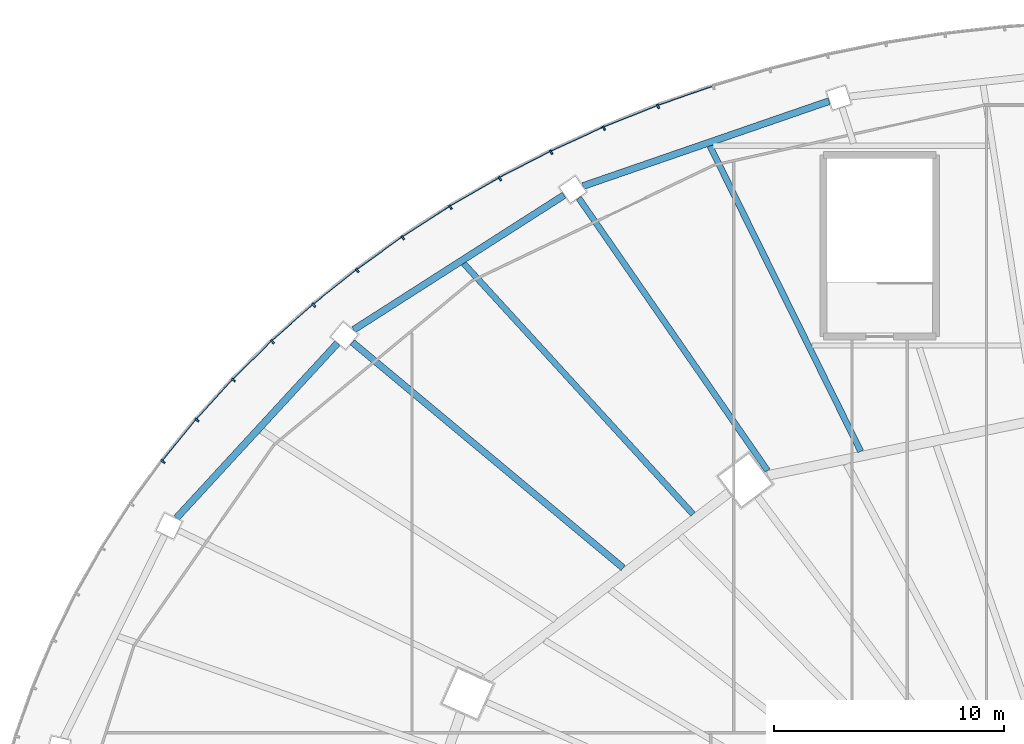
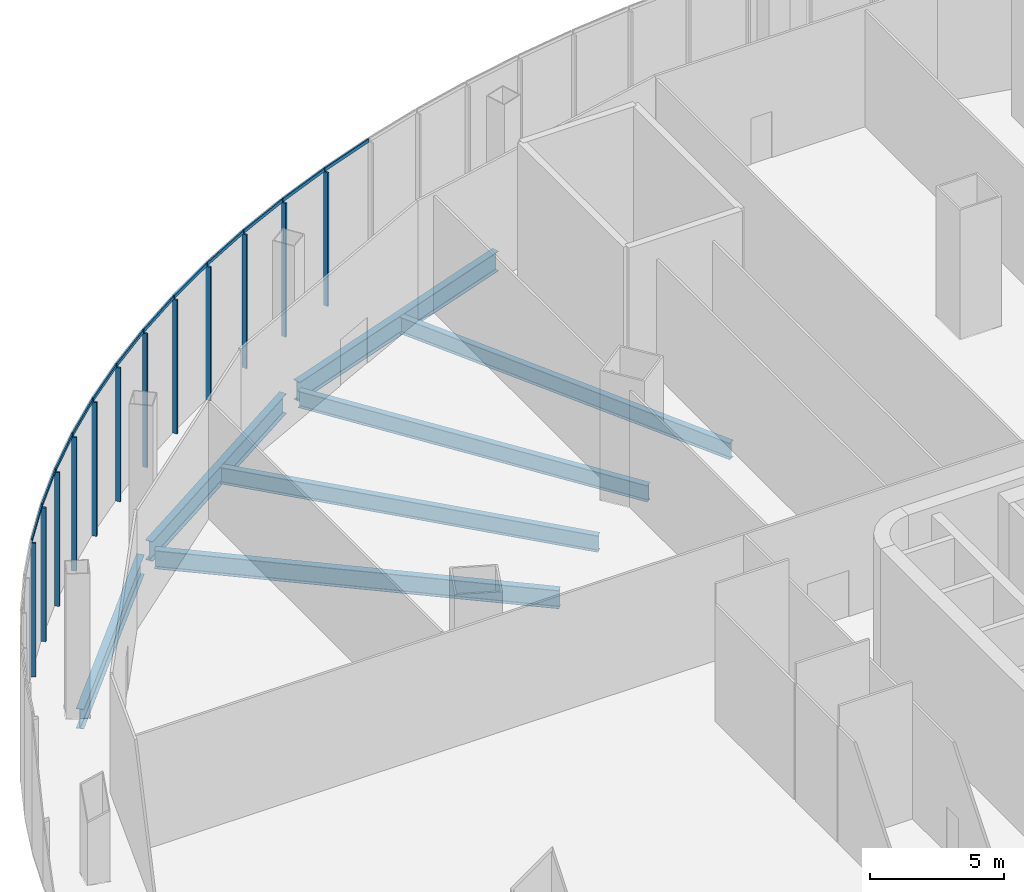
# One storey, part 13 of 33: 24 members, 7 beams, 3 elements without a shape of their own.
"""IFC4 building model written with IfcOpenShell, lengths in metres."""

from ifc_helpers import new_model, si_unit, direction, frame, origin, origin_2d, place, context, subcontext, project, spatial, rectangle, i_section, extrude, material, layer, layer_set, material_profile, profile_set, type_object, element, aggregate, save


model = new_model("IFC4")

# Units and contexts
model_context = context("Model", 3, precision=1e-05, world=origin(), true_north=direction((0.0, 1.0)))
body_context = subcontext(model_context, "Body", "Model", "MODEL_VIEW")
ifc_project = project(units=[si_unit("LENGTHUNIT", "METRE"), si_unit("AREAUNIT", "SQUARE_METRE"), si_unit("VOLUMEUNIT", "CUBIC_METRE"), si_unit("PLANEANGLEUNIT", "RADIAN"), si_unit("MASSUNIT", "GRAM", prefix="KILO")], contexts=[model_context])

# Site, building, storey
site_placement = place(None, origin())
site = spatial("IfcSite", under=ifc_project, at=site_placement, CompositionType="ELEMENT")
building_placement = place(site_placement, origin())
building = spatial("IfcBuilding", under=site, at=building_placement, Name="Sahrelin Media Tower", CompositionType="ELEMENT")
storey_placement = place(building_placement, frame((0.0, 0.0, 37.39990234375)))
storey = spatial("IfcBuildingStorey", under=building, at=storey_placement, Name="L05", CompositionType="ELEMENT", Elevation=37.39990234375)

# Curtain wall, members
ifc_material_1 = material(Name="Champagne anodised aluminium 6063-T6", Category="aluminium")
ifc_layer = layer(ifc_material_1, 0.14990234375)
ifc_layer_set = layer_set([ifc_layer], Name="Podium ribbon curtain wall")
curtain_wall_type = type_object("IfcCurtainWallType", Name="Podium ribbon curtain wall", PredefinedType="NOTDEFINED", material=ifc_layer_set)
curtain_wall_1_placement = place(storey_placement, frame((-12.94091796875, 40.56884765625, 0.0), z_axis=(0.0, 0.0, 1.0), x_axis=(1.0, 0.0, 0.0)))
curtain_wall_1 = element("IfcCurtainWall", 1, at=curtain_wall_1_placement, inside=storey, type_object=curtain_wall_type, Name="L05:CW:L05-P07", PredefinedType="NOTDEFINED")
ifc_material_profile_1 = material_profile(ifc_material_1, rectangle(XDim=0.080078125, YDim=0.199951171875, at=origin_2d()), Name="Mullion 80x200")
ifc_profile_set_1 = profile_set([ifc_material_profile_1], Name="Champagne anodised aluminium 6063-T6")
member_type_1 = type_object("IfcMemberType", Name="Mullion 80x200 CW5", PredefinedType="MULLION", material=ifc_profile_set_1)
member_1_placement = place(storey_placement, frame((-20.292236328125, 38.257568359375, 0.0), z_axis=(0.0, 0.0, 1.0), x_axis=(-0.928270482181, -0.371905783648, 0.0)))
member_1 = element("IfcMember", 2, at=member_1_placement, type_object=member_type_1, Name="L05:CWM4:L05-P07", PredefinedType="MULLION", context=body_context, shape_type="SweptSolid", body=[
    extrude(rectangle(XDim=0.080078125, YDim=0.199951171875, at=origin_2d()), origin(), (0.0, 0.0, 1.0), 6.10009765625),
])
member_2_placement = place(storey_placement, frame((-22.649658203125, 37.31298828125, 0.0), z_axis=(0.0, 0.0, 1.0), x_axis=(-0.909841810065, -0.414955275491, 0.0)))
member_2 = element("IfcMember", 3, at=member_2_placement, type_object=member_type_1, Name="L05:CWM5:L05-P07", PredefinedType="MULLION", context=body_context, shape_type="SweptSolid", body=[
    extrude(rectangle(XDim=0.080078125, YDim=0.199951171875, at=origin_2d()), origin(), (0.0, 0.0, 1.0), 6.10009765625),
])

curtain_wall_2_placement = place(storey_placement, frame((-25.0, 36.373046875, 0.0), z_axis=(0.0, 0.0, 1.0), x_axis=(1.0, 0.0, 0.0)))
curtain_wall_2 = element("IfcCurtainWall", 4, at=curtain_wall_2_placement, inside=storey, type_object=curtain_wall_type, Name="L05:CW:L05-P08", PredefinedType="NOTDEFINED")
member_3_placement = place(storey_placement, frame((-24.945068359375, 36.266357421875, 0.0), z_axis=(0.0, 0.0, 1.0), x_axis=(-0.889123403251, -0.457667536309, 0.0)))
member_3 = element("IfcMember", 5, at=member_3_placement, type_object=member_type_1, Name="L05:CWM1:L05-P08", PredefinedType="MULLION", context=body_context, shape_type="SweptSolid", body=[
    extrude(rectangle(XDim=0.080078125, YDim=0.199951171875, at=origin_2d()), origin(), (0.0, 0.0, 1.0), 6.10009765625),
])
member_4_placement = place(storey_placement, frame((-27.172119140625, 35.120361328125, 0.0), z_axis=(0.0, 0.0, 1.0), x_axis=(-0.866028894422, -0.49999395399, 0.0)))
member_4 = element("IfcMember", 6, at=member_4_placement, type_object=member_type_1, Name="L05:CWM2:L05-P08", PredefinedType="MULLION", context=body_context, shape_type="SweptSolid", body=[
    extrude(rectangle(XDim=0.080078125, YDim=0.199951171875, at=origin_2d()), origin(), (0.0, 0.0, 1.0), 6.10009765625),
])
member_5_placement = place(storey_placement, frame((-29.32421875, 33.877685546875, 0.0), z_axis=(0.0, 0.0, 1.0), x_axis=(-0.840519327336, -0.541781561494, 0.0)))
member_5 = element("IfcMember", 7, at=member_5_placement, type_object=member_type_1, Name="L05:CWM3:L05-P08", PredefinedType="MULLION", context=body_context, shape_type="SweptSolid", body=[
    extrude(rectangle(XDim=0.080078125, YDim=0.199951171875, at=origin_2d()), origin(), (0.0, 0.0, 1.0), 6.10009765625),
])
member_6_placement = place(storey_placement, frame((-31.39599609375, 32.54248046875, 0.0), z_axis=(0.0, 0.0, 1.0), x_axis=(-0.812532432251, -0.582915985834, 0.0)))
member_6 = element("IfcMember", 8, at=member_6_placement, type_object=member_type_1, Name="L05:CWM4:L05-P08", PredefinedType="MULLION", context=body_context, shape_type="SweptSolid", body=[
    extrude(rectangle(XDim=0.080078125, YDim=0.199951171875, at=origin_2d()), origin(), (0.0, 0.0, 1.0), 6.10009765625),
])
member_7_placement = place(storey_placement, frame((-33.381591796875, 31.118408203125, 0.0), z_axis=(0.0, 0.0, 1.0), x_axis=(-0.781960183728, -0.623328381405, 0.0)))
member_7 = element("IfcMember", 9, at=member_7_placement, type_object=member_type_1, Name="L05:CWM5:L05-P08", PredefinedType="MULLION", context=body_context, shape_type="SweptSolid", body=[
    extrude(rectangle(XDim=0.080078125, YDim=0.199951171875, at=origin_2d()), origin(), (0.0, 0.0, 1.0), 6.10009765625),
])

curtain_wall_3_placement = place(storey_placement, frame((-35.355224609375, 29.698486328125, 0.0), z_axis=(0.0, 0.0, 1.0), x_axis=(1.0, 0.0, 0.0)))
curtain_wall_3 = element("IfcCurtainWall", 10, at=curtain_wall_3_placement, inside=storey, type_object=curtain_wall_type, Name="L05:CW:L05-P09", PredefinedType="NOTDEFINED")
member_8_placement = place(storey_placement, frame((-35.27587890625, 29.608642578125, 0.0), z_axis=(0.0, 0.0, 1.0), x_axis=(-0.748788005735, -0.662809567272, 0.0)))
member_8 = element("IfcMember", 11, at=member_8_placement, type_object=member_type_1, Name="L05:CWM1:L05-P09", PredefinedType="MULLION", context=body_context, shape_type="SweptSolid", body=[
    extrude(rectangle(XDim=0.080078125, YDim=0.199951171875, at=origin_2d()), origin(), (0.0, 0.0, 1.0), 6.10009765625),
])
member_9_placement = place(storey_placement, frame((-37.072998046875, 28.017822265625, 0.0), z_axis=(0.0, 0.0, 1.0), x_axis=(-0.712973923933, -0.70119054742, 0.0)))
member_9 = element("IfcMember", 12, at=member_9_placement, type_object=member_type_1, Name="L05:CWM2:L05-P09", PredefinedType="MULLION", context=body_context, shape_type="SweptSolid", body=[
    extrude(rectangle(XDim=0.080078125, YDim=0.199951171875, at=origin_2d()), origin(), (0.0, 0.0, 1.0), 6.10009765625),
])
member_10_placement = place(storey_placement, frame((-38.768798828125, 26.3505859375, 0.0), z_axis=(0.0, 0.0, 1.0), x_axis=(-0.67442997344, -0.738338818514, 0.0)))
member_10 = element("IfcMember", 13, at=member_10_placement, type_object=member_type_1, Name="L05:CWM3:L05-P09", PredefinedType="MULLION", context=body_context, shape_type="SweptSolid", body=[
    extrude(rectangle(XDim=0.080078125, YDim=0.199951171875, at=origin_2d()), origin(), (0.0, 0.0, 1.0), 6.10009765625),
])
member_11_placement = place(storey_placement, frame((-40.35791015625, 24.611083984375, 0.0), z_axis=(0.0, 0.0, 1.0), x_axis=(-0.633234995933, -0.77395958546, 0.0)))
member_11 = element("IfcMember", 14, at=member_11_placement, type_object=member_type_1, Name="L05:CWM4:L05-P09", PredefinedType="MULLION", context=body_context, shape_type="SweptSolid", body=[
    extrude(rectangle(XDim=0.080078125, YDim=0.199951171875, at=origin_2d()), origin(), (0.0, 0.0, 1.0), 6.10009765625),
])
member_12_placement = place(storey_placement, frame((-41.836669921875, 22.80419921875, 0.0), z_axis=(0.0, 0.0, 1.0), x_axis=(-0.589385309161, -0.807852064022, 0.0)))
member_12 = element("IfcMember", 15, at=member_12_placement, type_object=member_type_1, Name="L05:CWM5:L05-P09", PredefinedType="MULLION", context=body_context, shape_type="SweptSolid", body=[
    extrude(rectangle(XDim=0.080078125, YDim=0.199951171875, at=origin_2d()), origin(), (0.0, 0.0, 1.0), 6.10009765625),
])

# Beams
ifc_material_2 = material(Name="Steel S355", Category="steel")
ifc_material_profile_2 = material_profile(ifc_material_2, i_section(OverallWidth=0.30322265625, OverallDepth=0.903076171875, WebThickness=0.01513671875, FlangeThickness=0.020263671875, FilletRadius=0.01904296875, at=origin_2d()), Name="UB 914x305x201")
ifc_profile_set_2 = profile_set([ifc_material_profile_2], Name="Steel S355")
beam_type_1 = type_object("IfcBeamType", Name="Podium edge girder PE11", PredefinedType="BEAM", material=ifc_profile_set_2)
beam_1_placement = place(storey_placement, frame((-12.848876953125, 38.489990234375, -0.6513671875), z_axis=(-0.94527240249, -0.32628221694, 0.0), x_axis=(0.32628221694, -0.94527240249, 0.0)))
element("IfcBeam", 16, at=beam_1_placement, inside=storey, type_object=beam_type_1, Name="Podium edge girder L05-08", PredefinedType="BEAM", context=body_context, shape_type="SweptSolid", body=[
    extrude(i_section(OverallWidth=0.30322265625, OverallDepth=0.903076171875, WebThickness=0.01513671875, FlangeThickness=0.020263671875, FilletRadius=0.01904296875, at=origin_2d()), origin(), (0.0, 0.0, 1.0), 11.329345703125),
])
beam_2_placement = place(storey_placement, frame((-24.37939453125, 34.3984375, -0.6513671875), z_axis=(-0.842485743715, -0.538718638657, 0.0), x_axis=(0.538718638657, -0.842485743715, 0.0)))
element("IfcBeam", 17, at=beam_2_placement, inside=storey, type_object=beam_type_1, Name="Podium edge girder L05-09", PredefinedType="BEAM", context=body_context, shape_type="SweptSolid", body=[
    extrude(i_section(OverallWidth=0.30322265625, OverallDepth=0.903076171875, WebThickness=0.01513671875, FlangeThickness=0.020263671875, FilletRadius=0.01904296875, at=origin_2d()), origin(), (0.0, 0.0, 1.0), 10.87744140625),
])
beam_3_placement = place(storey_placement, frame((-34.246337890625, 27.952880859375, -0.6513671875), z_axis=(-0.677370529771, -0.735642008995, 0.0), x_axis=(0.735642008995, -0.677370529771, 0.0)))
element("IfcBeam", 18, at=beam_3_placement, inside=storey, type_object=beam_type_1, Name="Podium edge girder L05-10", PredefinedType="BEAM", context=body_context, shape_type="SweptSolid", body=[
    extrude(i_section(OverallWidth=0.30322265625, OverallDepth=0.903076171875, WebThickness=0.01513671875, FlangeThickness=0.020263671875, FilletRadius=0.01904296875, at=origin_2d()), origin(), (0.0, 0.0, 1.0), 10.340087890625),
])
ifc_material_profile_3 = material_profile(ifc_material_2, i_section(OverallWidth=0.291748046875, OverallDepth=0.8349609375, WebThickness=0.013916015625, FlangeThickness=0.018798828125, FilletRadius=0.017822265625, at=origin_2d()), Name="UB 838x292x176")
ifc_profile_set_3 = profile_set([ifc_material_profile_3], Name="Steel S355")
beam_type_2 = type_object("IfcBeamType", Name="Radial primary beam PB10", PredefinedType="BEAM", material=ifc_profile_set_3)
beam_4_placement = place(storey_placement, frame((-21.809326171875, 18.174560546875, -0.617431640625), z_axis=(-0.768229105739, 0.640175008178, 0.0), x_axis=(-0.640175008178, -0.768229105739, 0.0)))
element("IfcBeam", 19, at=beam_4_placement, inside=storey, type_object=beam_type_2, Name="Radial beam L05-12", PredefinedType="BEAM", context=body_context, shape_type="SweptSolid", body=[
    extrude(i_section(OverallWidth=0.291748046875, OverallDepth=0.8349609375, WebThickness=0.013916015625, FlangeThickness=0.018798828125, FilletRadius=0.017822265625, at=origin_2d()), origin(), (0.0, 0.0, 1.0), 15.342041015625),
])
ifc_material_profile_4 = material_profile(ifc_material_2, i_section(OverallWidth=0.26513671875, OverallDepth=0.75390625, WebThickness=0.0126953125, FlangeThickness=0.017578125, FilletRadius=0.0166015625, at=origin_2d()), Name="UB 762x267x147")
ifc_profile_set_4 = profile_set([ifc_material_profile_4], Name="Steel S355")
beam_type_3 = type_object("IfcBeamType", Name="Radial primary beam PB9", PredefinedType="BEAM", material=ifc_profile_set_4)
beam_5_placement = place(storey_placement, frame((-15.527099609375, 22.411376953125, -0.576904296875), z_axis=(-0.569493278726, 0.821995988729, 0.0), x_axis=(-0.821995988729, -0.569493278726, 0.0)))
element("IfcBeam", 20, at=beam_5_placement, inside=storey, type_object=beam_type_3, Name="Radial beam L05-11", PredefinedType="BEAM", context=body_context, shape_type="SweptSolid", body=[
    extrude(i_section(OverallWidth=0.26513671875, OverallDepth=0.75390625, WebThickness=0.0126953125, FlangeThickness=0.017578125, FilletRadius=0.0166015625, at=origin_2d()), origin(), (0.0, 0.0, 1.0), 14.427734375),
])
ifc_material_profile_5 = material_profile(ifc_material_2, i_section(OverallWidth=0.26513671875, OverallDepth=0.75390625, WebThickness=0.0126953125, FlangeThickness=0.017578125, FilletRadius=0.0166015625, at=origin_2d()), Name="UB 762x267x147")
ifc_profile_set_5 = profile_set([ifc_material_profile_5], Name="Steel S355")
beam_type_4 = type_object("IfcBeamType", Name="Radial secondary beam SB9", PredefinedType="BEAM", material=ifc_profile_set_5)
beam_6_placement = place(storey_placement, frame((-11.47412109375, 23.247314453125, -0.576904296875), z_axis=(-0.442602611298, 0.896717864477, 0.0), x_axis=(-0.896717864477, -0.442602611298, 0.0)))
element("IfcBeam", 21, at=beam_6_placement, inside=storey, type_object=beam_type_4, Name="Secondary beam L05-08", PredefinedType="BEAM", context=body_context, shape_type="SweptSolid", body=[
    extrude(i_section(OverallWidth=0.26513671875, OverallDepth=0.75390625, WebThickness=0.0126953125, FlangeThickness=0.017578125, FilletRadius=0.0166015625, at=origin_2d()), origin(), (0.0, 0.0, 1.0), 14.8232421875),
])
beam_7_placement = place(storey_placement, frame((-18.7685546875, 20.514892578125, -0.576904296875), z_axis=(-0.675004282666, 0.737813810106, 0.0), x_axis=(-0.737813810106, -0.675004282666, 0.0)))
element("IfcBeam", 22, at=beam_7_placement, inside=storey, type_object=beam_type_4, Name="Secondary beam L05-09", PredefinedType="BEAM", context=body_context, shape_type="SweptSolid", body=[
    extrude(i_section(OverallWidth=0.26513671875, OverallDepth=0.75390625, WebThickness=0.0126953125, FlangeThickness=0.017578125, FilletRadius=0.0166015625, at=origin_2d()), origin(), (0.0, 0.0, 1.0), 14.7861328125),
])

# Member
ifc_material_profile_6 = material_profile(ifc_material_1, rectangle(XDim=0.06005859375, YDim=0.14990234375, at=origin_2d()), Name="Transom 60x150")
ifc_profile_set_6 = profile_set([ifc_material_profile_6], Name="Champagne anodised aluminium 6063-T6")
member_type_2 = type_object("IfcMemberType", Name="Transom 60x150 CW5", PredefinedType="USERDEFINED", material=ifc_profile_set_6)
member_13_placement = place(storey_placement, frame((-17.94921875, 39.146728515625, 6.175048828125), z_axis=(-0.944469242615, -0.328599832248, 0.0), x_axis=(0.328599832248, -0.944469242615, 0.0)))
member_13 = element("IfcMember", 23, at=member_13_placement, type_object=member_type_2, Name="L05:CWT3a:L05-P07", ObjectType="TRANSOM", PredefinedType="USERDEFINED", context=body_context, shape_type="SweptSolid", body=[
    extrude(rectangle(XDim=0.06005859375, YDim=0.14990234375, at=origin_2d()), origin(), (0.0, 0.0, 1.0), 2.510498046875),
])

member_14_placement = place(storey_placement, frame((-20.364501953125, 38.303955078125, 6.175048828125), z_axis=(-0.928280887293, -0.371879811615, 0.0), x_axis=(0.371879811615, -0.928280887293, 0.0)))
member_14 = element("IfcMember", 24, at=member_14_placement, type_object=member_type_2, Name="L05:CWT4a:L05-P07", ObjectType="TRANSOM", PredefinedType="USERDEFINED", context=body_context, shape_type="SweptSolid", body=[
    extrude(rectangle(XDim=0.06005859375, YDim=0.14990234375, at=origin_2d()), origin(), (0.0, 0.0, 1.0), 2.495361328125),
])

member_15_placement = place(storey_placement, frame((-22.72412109375, 37.356201171875, 6.175048828125), z_axis=(-0.909832749786, -0.414975140722, 0.0), x_axis=(0.414975140722, -0.909832749786, 0.0)))
member_15 = element("IfcMember", 25, at=member_15_placement, type_object=member_type_2, Name="L05:CWT5a:L05-P07", ObjectType="TRANSOM", PredefinedType="USERDEFINED", context=body_context, shape_type="SweptSolid", body=[
    extrude(rectangle(XDim=0.06005859375, YDim=0.14990234375, at=origin_2d()), origin(), (0.0, 0.0, 1.0), 2.478515625),
])

aggregate(curtain_wall_1, [member_13, member_1, member_14, member_2, member_15])

member_16_placement = place(storey_placement, frame((-25.021484375, 36.305908203125, 6.175048828125), z_axis=(-0.88908592798, -0.457740333233, 0.0), x_axis=(0.457740333233, -0.88908592798, 0.0)))
member_16 = element("IfcMember", 26, at=member_16_placement, type_object=member_type_2, Name="L05:CWT1a:L05-P08", ObjectType="TRANSOM", PredefinedType="USERDEFINED", context=body_context, shape_type="SweptSolid", body=[
    extrude(rectangle(XDim=0.06005859375, YDim=0.14990234375, at=origin_2d()), origin(), (0.0, 0.0, 1.0), 2.46044921875),
])

member_17_placement = place(storey_placement, frame((-27.250244140625, 35.156005859375, 6.175048828125), z_axis=(-0.86599404773, -0.500054306346, 0.0), x_axis=(0.500054306346, -0.86599404773, 0.0)))
member_17 = element("IfcMember", 27, at=member_17_placement, type_object=member_type_2, Name="L05:CWT2a:L05-P08", ObjectType="TRANSOM", PredefinedType="USERDEFINED", context=body_context, shape_type="SweptSolid", body=[
    extrude(rectangle(XDim=0.06005859375, YDim=0.14990234375, at=origin_2d()), origin(), (0.0, 0.0, 1.0), 2.441162109375),
])

member_18_placement = place(storey_placement, frame((-29.404296875, 33.90966796875, 6.175048828125), z_axis=(-0.840515923585, -0.541786842033, 0.0), x_axis=(0.541786842033, -0.840515923585, 0.0)))
member_18 = element("IfcMember", 28, at=member_18_placement, type_object=member_type_2, Name="L05:CWT3a:L05-P08", ObjectType="TRANSOM", PredefinedType="USERDEFINED", context=body_context, shape_type="SweptSolid", body=[
    extrude(rectangle(XDim=0.06005859375, YDim=0.14990234375, at=origin_2d()), origin(), (0.0, 0.0, 1.0), 2.420654296875),
])

member_19_placement = place(storey_placement, frame((-31.4775390625, 32.5703125, 6.175048828125), z_axis=(-0.812528823306, -0.582921016345, 0.0), x_axis=(0.582921016345, -0.812528823306, 0.0)))
member_19 = element("IfcMember", 29, at=member_19_placement, type_object=member_type_2, Name="L05:CWT4a:L05-P08", ObjectType="TRANSOM", PredefinedType="USERDEFINED", context=body_context, shape_type="SweptSolid", body=[
    extrude(rectangle(XDim=0.06005859375, YDim=0.14990234375, at=origin_2d()), origin(), (0.0, 0.0, 1.0), 2.39990234375),
])

member_20_placement = place(storey_placement, frame((-33.46435546875, 31.141845703125, 6.175048828125), z_axis=(-0.781989191913, -0.623291989144, 0.0), x_axis=(0.623291989144, -0.781989191913, 0.0)))
member_20 = element("IfcMember", 30, at=member_20_placement, type_object=member_type_2, Name="L05:CWT5a:L05-P08", ObjectType="TRANSOM", PredefinedType="USERDEFINED", context=body_context, shape_type="SweptSolid", body=[
    extrude(rectangle(XDim=0.06005859375, YDim=0.14990234375, at=origin_2d()), origin(), (0.0, 0.0, 1.0), 2.37841796875),
])

aggregate(curtain_wall_2, [member_3, member_16, member_4, member_17, member_5, member_18, member_6, member_19, member_7, member_20])

member_21_placement = place(storey_placement, frame((-35.359619140625, 29.6279296875, 6.175048828125), z_axis=(-0.74879678706, -0.662799646717, 0.0), x_axis=(0.662799646717, -0.74879678706, 0.0)))
member_21 = element("IfcMember", 31, at=member_21_placement, type_object=member_type_2, Name="L05:CWT1a:L05-P09", ObjectType="TRANSOM", PredefinedType="USERDEFINED", context=body_context, shape_type="SweptSolid", body=[
    extrude(rectangle(XDim=0.06005859375, YDim=0.14990234375, at=origin_2d()), origin(), (0.0, 0.0, 1.0), 2.356201171875),
])

member_22_placement = place(storey_placement, frame((-37.15771484375, 28.03271484375, 6.175048828125), z_axis=(-0.713042850278, -0.70112045589, 0.0), x_axis=(0.70112045589, -0.713042850278, 0.0)))
member_22 = element("IfcMember", 32, at=member_22_placement, type_object=member_type_2, Name="L05:CWT2a:L05-P09", ObjectType="TRANSOM", PredefinedType="USERDEFINED", context=body_context, shape_type="SweptSolid", body=[
    extrude(rectangle(XDim=0.06005859375, YDim=0.14990234375, at=origin_2d()), origin(), (0.0, 0.0, 1.0), 2.33447265625),
])

member_23_placement = place(storey_placement, frame((-38.85400390625, 26.36083984375, 6.175048828125), z_axis=(-0.674452068042, -0.738318635762, 0.0), x_axis=(0.738318635762, -0.674452068042, 0.0)))
member_23 = element("IfcMember", 33, at=member_23_placement, type_object=member_type_2, Name="L05:CWT3a:L05-P09", ObjectType="TRANSOM", PredefinedType="USERDEFINED", context=body_context, shape_type="SweptSolid", body=[
    extrude(rectangle(XDim=0.06005859375, YDim=0.14990234375, at=origin_2d()), origin(), (0.0, 0.0, 1.0), 2.312744140625),
])

member_24_placement = place(storey_placement, frame((-40.44384765625, 24.61669921875, 6.175048828125), z_axis=(-0.633168167393, -0.774014258137, 0.0), x_axis=(0.774014258137, -0.633168167393, 0.0)))
member_24 = element("IfcMember", 34, at=member_24_placement, type_object=member_type_2, Name="L05:CWT4a:L05-P09", ObjectType="TRANSOM", PredefinedType="USERDEFINED", context=body_context, shape_type="SweptSolid", body=[
    extrude(rectangle(XDim=0.06005859375, YDim=0.14990234375, at=origin_2d()), origin(), (0.0, 0.0, 1.0), 2.29150390625),
])

aggregate(curtain_wall_3, [member_8, member_21, member_9, member_22, member_10, member_23, member_11, member_24, member_12])

save(model, "model.ifc")
